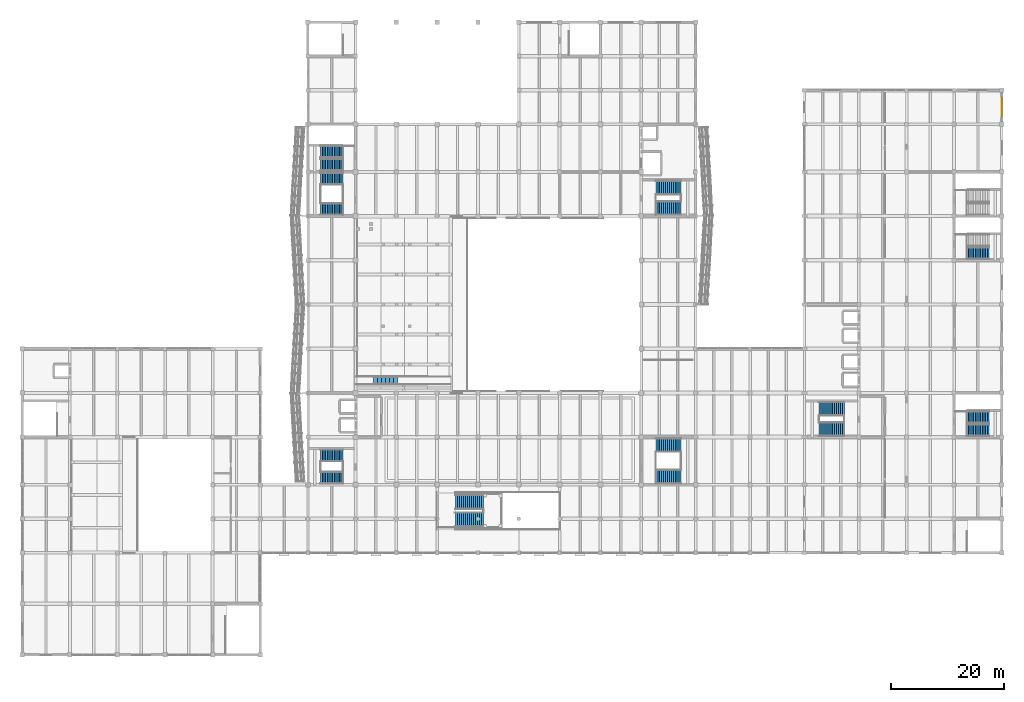
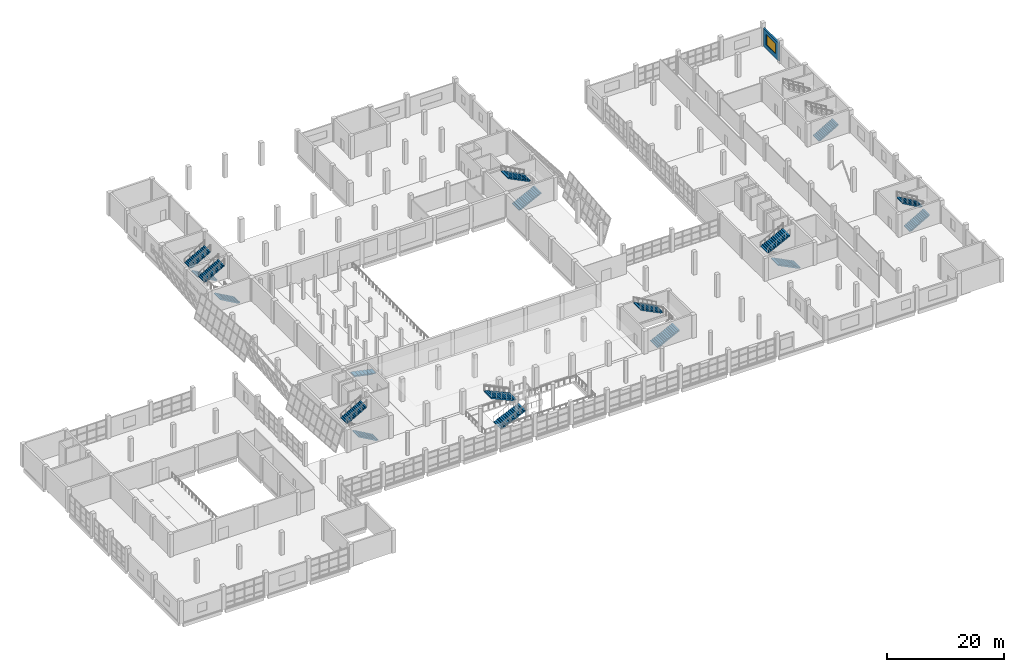
# One storey, part 86 of 91: 18 stair flights, 1 wall, 1 window, 1 opening, 10 elements without a shape of their own.
"""IFC4 building model written with IfcOpenShell, lengths in metres."""

from ifc_helpers import new_model, si_unit, direction, frame, frame_2d, origin, place, context, subcontext, project, spatial, polyline, rectangle, outline, extrude, material, layer, layer_set, type_object, element, fill, aggregate, save


model = new_model("IFC4")

# Units and contexts
model_context = context("Model", 3, precision=1e-05, world=origin(), true_north=direction((0.0, 1.0)))
body_context = subcontext(model_context, "Body", "Model", "MODEL_VIEW")
ifc_project = project(units=[si_unit("LENGTHUNIT", "METRE"), si_unit("AREAUNIT", "SQUARE_METRE"), si_unit("VOLUMEUNIT", "CUBIC_METRE"), si_unit("PLANEANGLEUNIT", "RADIAN"), si_unit("MASSUNIT", "GRAM", prefix="KILO")], contexts=[model_context])

# Site, building, storey
site_placement = place(None, origin())
site = spatial("IfcSite", under=ifc_project, at=site_placement, CompositionType="ELEMENT")
building_placement = place(site_placement, origin())
building = spatial("IfcBuilding", under=site, at=building_placement, Name="Pellamere Symphony Hall", CompositionType="ELEMENT")
storey_placement = place(building_placement, frame((0.0, 0.0, 5.39990234375)))
storey = spatial("IfcBuildingStorey", under=building, at=storey_placement, Name="L01", CompositionType="ELEMENT", Elevation=5.39990234375)

# Wall, opening, window
ifc_material_1 = material(Name="Precast concrete 40 MPa", Category="concrete")
ifc_layer = layer(ifc_material_1, 0.320068359375, Name="Precast concrete 40 MPa")
ifc_layer_set = layer_set([ifc_layer], Name="Precast concrete 40 MPa")
wall_type = type_object("IfcWallType", Name="Exterior Wall EW-02 320mm", PredefinedType="SOLIDWALL", material=ifc_layer_set)
wall_placement = place(storey_placement, frame((172.800048828125, 93.989990234375, 0.0), z_axis=(0.0, 0.0, 1.0), x_axis=(0.0, 1.0, 0.0)))
wall = element("IfcWall", 1, at=wall_placement, inside=storey, type_object=wall_type, Name="Exterior Wall EW-02-093 (L01)", PredefinedType="SOLIDWALL", context=body_context, shape_type="SweptSolid", body=[
    extrude(rectangle(XDim=5.219970703125, YDim=0.320068359375, at=frame_2d((2.60986328125, 0.0))), origin(), (0.0, 0.0, 1.0), 3.800048828125),
])
opening_placement = place(wall_placement, frame((1.010009765625, 0.0, 0.89990234375)))
opening = element("IfcOpeningElement", 2, at=opening_placement, cuts=wall, Name="Opening W058", PredefinedType="OPENING", context=body_context, shape_type="SweptSolid", body=[
    extrude(rectangle(XDim=3.199951171875, YDim=2.10009765625, at=frame_2d((1.60009765625, 1.050048828125))), frame((0.0, 0.169921875, 0.0), z_axis=(0.0, -1.0, 0.0), x_axis=(1.0, 0.0, 0.0)), (0.0, 0.0, 1.0), 0.340087890625),
])
ifc_material_2 = material(Name="Thermally Broken Aluminium Triple-Glazed Acoustic Window", Category="aluminium")
window_type = type_object("IfcWindowType", Name="Window WN-04 3200x2100", PartitioningType="TRIPLE_PANEL_VERTICAL", PredefinedType="WINDOW", material=ifc_material_2)
window_placement = place(opening_placement, origin())
window = element("IfcWindow", 3, at=window_placement, inside=storey, type_object=window_type, Name="Exterior Window W058 (L01)", OverallHeight=2.10009765625, OverallWidth=3.199951171875, PartitioningType="SINGLE_PANEL", PredefinedType="WINDOW", context=body_context, shape_type="SweptSolid", body=[
    extrude(rectangle(XDim=3.199951171875, YDim=2.10009765625, at=frame_2d((1.60009765625, 1.050048828125))), frame((0.0, 0.030029296875, 0.0), z_axis=(0.0, -1.0, 0.0), x_axis=(1.0, 0.0, 0.0)), (0.0, 0.0, 1.0), 0.06005859375),
])
fill(opening, window)

# Stair, stair flights
ifc_material_3 = material(Name="Concrete 40 MPa", Category="concrete")
stair_type_1 = type_object("IfcStairType", Name="Stair ST-A W2400", PredefinedType="HALF_TURN_STAIR", material=ifc_material_3)
stair_1_placement = place(storey_placement, origin())
stair_1 = element("IfcStair", 4, at=stair_1_placement, inside=storey, type_object=stair_type_1, Name="Exit Stair ST02-L01 (L01 to L02)", PredefinedType="HALF_TURN_STAIR")
stair_flight_type_1 = type_object("IfcStairFlightType", Name="Stair Flight SF-A W2400", PredefinedType="STRAIGHT", material=ifc_material_3)
stair_flight_1_placement = place(storey_placement, frame((145.02490234375, 39.760009765625, 0.0), z_axis=(0.0, 0.0, 1.0), x_axis=(-1.0, 0.0, 0.0)))
stair_flight_1 = element("IfcStairFlight", 5, at=stair_flight_1_placement, type_object=stair_flight_type_1, Name="Stair ST02-L01 Lower Flight (L01)", NumberOfRisers=14, NumberOfTreads=13, PredefinedType="STRAIGHT", RiserHeight=0.17143, TreadLength=0.34231, context=body_context, shape_type="SweptSolid", body=[
    extrude(outline(polyline([(0.0, 0.0), (0.0, 0.17138671875), (0.34228515625, 0.17138671875), (0.34228515625, 0.3427734375), (0.6845703125, 0.3427734375), (0.6845703125, 0.514404296875), (1.02685546875, 0.514404296875), (1.02685546875, 0.685791015625), (1.369140625, 0.685791015625), (1.369140625, 0.857177734375), (1.711669921875, 0.857177734375), (1.711669921875, 1.028564453125), (2.053955078125, 1.028564453125), (2.053955078125, 1.199951171875), (2.396240234375, 1.199951171875), (2.396240234375, 1.371337890625), (2.738525390625, 1.371337890625), (2.738525390625, 1.54296875), (3.080810546875, 1.54296875), (3.080810546875, 1.71435546875), (3.423095703125, 1.71435546875), (3.423095703125, 1.8857421875), (3.765380859375, 1.8857421875), (3.765380859375, 2.05712890625), (4.107666015625, 2.05712890625), (4.107666015625, 2.228515625), (4.449951171875, 2.228515625), (4.449951171875, 2.39990234375), (4.449951171875, 2.0048828125), (0.446533203125, 0.0), (0.0, 0.0)])), frame((0.0, 1.199951171875, 0.0), z_axis=(0.0, -1.0, 0.0), x_axis=(1.0, 0.0, 0.0)), (0.0, 0.0, 1.0), 2.39990234375),
])
stair_flight_2_placement = place(storey_placement, frame((140.574951171875, 43.43994140625, 2.400146484375), z_axis=(0.0, 0.0, 1.0), x_axis=(1.0, 0.0, 0.0)))
stair_flight_2 = element("IfcStairFlight", 6, at=stair_flight_2_placement, type_object=stair_flight_type_1, Name="Stair ST02-L01 Upper Flight (L01)", NumberOfRisers=14, NumberOfTreads=13, PredefinedType="STRAIGHT", RiserHeight=0.17143, TreadLength=0.34231, context=body_context, shape_type="SweptSolid", body=[
    extrude(outline(polyline([(0.0, 0.0), (0.0, 0.17138671875), (0.34228515625, 0.17138671875), (0.34228515625, 0.3427734375), (0.6845703125, 0.3427734375), (0.6845703125, 0.514404296875), (1.02685546875, 0.514404296875), (1.02685546875, 0.685791015625), (1.369140625, 0.685791015625), (1.369140625, 0.857177734375), (1.711669921875, 0.857177734375), (1.711669921875, 1.028564453125), (2.053955078125, 1.028564453125), (2.053955078125, 1.199951171875), (2.396240234375, 1.199951171875), (2.396240234375, 1.371337890625), (2.738525390625, 1.371337890625), (2.738525390625, 1.54296875), (3.080810546875, 1.54296875), (3.080810546875, 1.71435546875), (3.423095703125, 1.71435546875), (3.423095703125, 1.8857421875), (3.765380859375, 1.8857421875), (3.765380859375, 2.05712890625), (4.107666015625, 2.05712890625), (4.107666015625, 2.228515625), (4.449951171875, 2.228515625), (4.449951171875, 2.39990234375), (4.449951171875, 2.0048828125), (0.446533203125, 0.0), (0.0, 0.0)])), frame((0.0, 1.199951171875, 0.0), z_axis=(0.0, -1.0, 0.0), x_axis=(1.0, 0.0, 0.0)), (0.0, 0.0, 1.0), 2.39990234375),
])
aggregate(stair_1, [stair_flight_1, stair_flight_2])

stair_2_placement = place(storey_placement, origin())
stair_2 = element("IfcStair", 7, at=stair_2_placement, inside=storey, type_object=stair_type_1, Name="Exit Stair ST04-L01 (L01 to L02)", PredefinedType="HALF_TURN_STAIR")
stair_flight_3_placement = place(storey_placement, frame((111.77490234375, 78.760009765625, 0.0), z_axis=(0.0, 0.0, 1.0), x_axis=(1.0, 0.0, 0.0)))
stair_flight_3 = element("IfcStairFlight", 8, at=stair_flight_3_placement, type_object=stair_flight_type_1, Name="Stair ST04-L01 Lower Flight (L01)", NumberOfRisers=14, NumberOfTreads=13, PredefinedType="STRAIGHT", RiserHeight=0.17143, TreadLength=0.34231, context=body_context, shape_type="SweptSolid", body=[
    extrude(outline(polyline([(0.0, 0.0), (0.0, 0.17138671875), (0.34228515625, 0.17138671875), (0.34228515625, 0.3427734375), (0.6845703125, 0.3427734375), (0.6845703125, 0.514404296875), (1.02685546875, 0.514404296875), (1.02685546875, 0.685791015625), (1.369140625, 0.685791015625), (1.369140625, 0.857177734375), (1.711669921875, 0.857177734375), (1.711669921875, 1.028564453125), (2.053955078125, 1.028564453125), (2.053955078125, 1.199951171875), (2.396240234375, 1.199951171875), (2.396240234375, 1.371337890625), (2.738525390625, 1.371337890625), (2.738525390625, 1.54296875), (3.080810546875, 1.54296875), (3.080810546875, 1.71435546875), (3.423095703125, 1.71435546875), (3.423095703125, 1.8857421875), (3.765380859375, 1.8857421875), (3.765380859375, 2.05712890625), (4.107666015625, 2.05712890625), (4.107666015625, 2.228515625), (4.449951171875, 2.228515625), (4.449951171875, 2.39990234375), (4.449951171875, 2.0048828125), (0.446533203125, 0.0), (0.0, 0.0)])), frame((0.0, 1.199951171875, 0.0), z_axis=(0.0, -1.0, 0.0), x_axis=(1.0, 0.0, 0.0)), (0.0, 0.0, 1.0), 2.39990234375),
])
stair_flight_4_placement = place(storey_placement, frame((116.22509765625, 82.43994140625, 2.400146484375), z_axis=(0.0, 0.0, 1.0), x_axis=(-1.0, 0.0, 0.0)))
stair_flight_4 = element("IfcStairFlight", 9, at=stair_flight_4_placement, type_object=stair_flight_type_1, Name="Stair ST04-L01 Upper Flight (L01)", NumberOfRisers=14, NumberOfTreads=13, PredefinedType="STRAIGHT", RiserHeight=0.17143, TreadLength=0.34231, context=body_context, shape_type="SweptSolid", body=[
    extrude(outline(polyline([(0.0, 0.0), (0.0, 0.17138671875), (0.34228515625, 0.17138671875), (0.34228515625, 0.3427734375), (0.6845703125, 0.3427734375), (0.6845703125, 0.514404296875), (1.02685546875, 0.514404296875), (1.02685546875, 0.685791015625), (1.369140625, 0.685791015625), (1.369140625, 0.857177734375), (1.711669921875, 0.857177734375), (1.711669921875, 1.028564453125), (2.053955078125, 1.028564453125), (2.053955078125, 1.199951171875), (2.396240234375, 1.199951171875), (2.396240234375, 1.371337890625), (2.738525390625, 1.371337890625), (2.738525390625, 1.54296875), (3.080810546875, 1.54296875), (3.080810546875, 1.71435546875), (3.423095703125, 1.71435546875), (3.423095703125, 1.8857421875), (3.765380859375, 1.8857421875), (3.765380859375, 2.05712890625), (4.107666015625, 2.05712890625), (4.107666015625, 2.228515625), (4.449951171875, 2.228515625), (4.449951171875, 2.39990234375), (4.449951171875, 2.0048828125), (0.446533203125, 0.0), (0.0, 0.0)])), frame((0.0, 1.199951171875, 0.0), z_axis=(0.0, -1.0, 0.0), x_axis=(1.0, 0.0, 0.0)), (0.0, 0.0, 1.0), 2.39990234375),
])
aggregate(stair_2, [stair_flight_3, stair_flight_4])

stair_3_placement = place(storey_placement, origin())
stair_3 = element("IfcStair", 10, at=stair_3_placement, inside=storey, type_object=stair_type_1, Name="Exit Stair ST08-L01 (L01 to L02)", PredefinedType="HALF_TURN_STAIR")
stair_flight_5_placement = place(storey_placement, frame((111.77490234375, 31.360107421875, 0.0), z_axis=(0.0, 0.0, 1.0), x_axis=(1.0, 0.0, 0.0)))
stair_flight_5 = element("IfcStairFlight", 11, at=stair_flight_5_placement, type_object=stair_flight_type_1, Name="Stair ST08-L01 Lower Flight (L01)", NumberOfRisers=14, NumberOfTreads=13, PredefinedType="STRAIGHT", RiserHeight=0.17143, TreadLength=0.34231, context=body_context, shape_type="SweptSolid", body=[
    extrude(outline(polyline([(0.0, 0.0), (0.0, 0.17138671875), (0.34228515625, 0.17138671875), (0.34228515625, 0.3427734375), (0.6845703125, 0.3427734375), (0.6845703125, 0.514404296875), (1.02685546875, 0.514404296875), (1.02685546875, 0.685791015625), (1.369140625, 0.685791015625), (1.369140625, 0.857177734375), (1.711669921875, 0.857177734375), (1.711669921875, 1.028564453125), (2.053955078125, 1.028564453125), (2.053955078125, 1.199951171875), (2.396240234375, 1.199951171875), (2.396240234375, 1.371337890625), (2.738525390625, 1.371337890625), (2.738525390625, 1.54296875), (3.080810546875, 1.54296875), (3.080810546875, 1.71435546875), (3.423095703125, 1.71435546875), (3.423095703125, 1.8857421875), (3.765380859375, 1.8857421875), (3.765380859375, 2.05712890625), (4.107666015625, 2.05712890625), (4.107666015625, 2.228515625), (4.449951171875, 2.228515625), (4.449951171875, 2.39990234375), (4.449951171875, 2.0048828125), (0.446533203125, 0.0), (0.0, 0.0)])), frame((0.0, 1.199951171875, 0.0), z_axis=(0.0, -1.0, 0.0), x_axis=(1.0, 0.0, 0.0)), (0.0, 0.0, 1.0), 2.39990234375),
])
stair_flight_6_placement = place(storey_placement, frame((116.22509765625, 37.0400390625, 2.400146484375), z_axis=(0.0, 0.0, 1.0), x_axis=(-1.0, 0.0, 0.0)))
stair_flight_6 = element("IfcStairFlight", 12, at=stair_flight_6_placement, type_object=stair_flight_type_1, Name="Stair ST08-L01 Upper Flight (L01)", NumberOfRisers=14, NumberOfTreads=13, PredefinedType="STRAIGHT", RiserHeight=0.17143, TreadLength=0.34231, context=body_context, shape_type="SweptSolid", body=[
    extrude(outline(polyline([(0.0, 0.0), (0.0, 0.17138671875), (0.34228515625, 0.17138671875), (0.34228515625, 0.3427734375), (0.6845703125, 0.3427734375), (0.6845703125, 0.514404296875), (1.02685546875, 0.514404296875), (1.02685546875, 0.685791015625), (1.369140625, 0.685791015625), (1.369140625, 0.857177734375), (1.711669921875, 0.857177734375), (1.711669921875, 1.028564453125), (2.053955078125, 1.028564453125), (2.053955078125, 1.199951171875), (2.396240234375, 1.199951171875), (2.396240234375, 1.371337890625), (2.738525390625, 1.371337890625), (2.738525390625, 1.54296875), (3.080810546875, 1.54296875), (3.080810546875, 1.71435546875), (3.423095703125, 1.71435546875), (3.423095703125, 1.8857421875), (3.765380859375, 1.8857421875), (3.765380859375, 2.05712890625), (4.107666015625, 2.05712890625), (4.107666015625, 2.228515625), (4.449951171875, 2.228515625), (4.449951171875, 2.39990234375), (4.449951171875, 2.0048828125), (0.446533203125, 0.0), (0.0, 0.0)])), frame((0.0, 1.199951171875, 0.0), z_axis=(0.0, -1.0, 0.0), x_axis=(1.0, 0.0, 0.0)), (0.0, 0.0, 1.0), 2.39990234375),
])
aggregate(stair_3, [stair_flight_5, stair_flight_6])

stair_type_2 = type_object("IfcStairType", Name="Stair ST-B W2050", PredefinedType="HALF_TURN_STAIR", material=ifc_material_3)
stair_4_placement = place(storey_placement, origin())
stair_4 = element("IfcStair", 13, at=stair_4_placement, inside=storey, type_object=stair_type_2, Name="Exit Stair ST01-L01 (L01 to L02)", PredefinedType="HALF_TURN_STAIR")
stair_flight_type_2 = type_object("IfcStairFlightType", Name="Stair Flight SF-B W2050", PredefinedType="STRAIGHT", material=ifc_material_3)
stair_flight_7_placement = place(storey_placement, frame((56.574951171875, 31.18505859375, 0.0), z_axis=(0.0, 0.0, 1.0), x_axis=(-1.0, 0.0, 0.0)))
stair_flight_7 = element("IfcStairFlight", 14, at=stair_flight_7_placement, type_object=stair_flight_type_2, Name="Stair ST01-L01 Lower Flight (L01)", NumberOfRisers=14, NumberOfTreads=13, PredefinedType="STRAIGHT", RiserHeight=0.17143, TreadLength=0.30385, context=body_context, shape_type="SweptSolid", body=[
    extrude(outline(polyline([(0.0, 0.0), (0.0, 0.17138671875), (0.303955078125, 0.17138671875), (0.303955078125, 0.3427734375), (0.607666015625, 0.3427734375), (0.607666015625, 0.514404296875), (0.91162109375, 0.514404296875), (0.91162109375, 0.685791015625), (1.21533203125, 0.685791015625), (1.21533203125, 0.857177734375), (1.519287109375, 0.857177734375), (1.519287109375, 1.028564453125), (1.822998046875, 1.028564453125), (1.822998046875, 1.199951171875), (2.126953125, 1.199951171875), (2.126953125, 1.371337890625), (2.430908203125, 1.371337890625), (2.430908203125, 1.54296875), (2.734619140625, 1.54296875), (2.734619140625, 1.71435546875), (3.03857421875, 1.71435546875), (3.03857421875, 1.8857421875), (3.34228515625, 1.8857421875), (3.34228515625, 2.05712890625), (3.646240234375, 2.05712890625), (3.646240234375, 2.228515625), (3.949951171875, 2.228515625), (3.949951171875, 2.39990234375), (3.949951171875, 1.9990234375), (0.406982421875, 0.0), (0.0, 0.0)])), frame((0.0, 1.02490234375, 0.0), z_axis=(0.0, -1.0, 0.0), x_axis=(1.0, 0.0, 0.0)), (0.0, 0.0, 1.0), 2.050048828125),
])
stair_flight_8_placement = place(storey_placement, frame((52.625, 35.215087890625, 2.400146484375), z_axis=(0.0, 0.0, 1.0), x_axis=(1.0, 0.0, 0.0)))
stair_flight_8 = element("IfcStairFlight", 15, at=stair_flight_8_placement, type_object=stair_flight_type_2, Name="Stair ST01-L01 Upper Flight (L01)", NumberOfRisers=14, NumberOfTreads=13, PredefinedType="STRAIGHT", RiserHeight=0.17143, TreadLength=0.30385, context=body_context, shape_type="SweptSolid", body=[
    extrude(outline(polyline([(0.0, 0.0), (0.0, 0.17138671875), (0.303955078125, 0.17138671875), (0.303955078125, 0.3427734375), (0.607666015625, 0.3427734375), (0.607666015625, 0.514404296875), (0.91162109375, 0.514404296875), (0.91162109375, 0.685791015625), (1.21533203125, 0.685791015625), (1.21533203125, 0.857177734375), (1.519287109375, 0.857177734375), (1.519287109375, 1.028564453125), (1.822998046875, 1.028564453125), (1.822998046875, 1.199951171875), (2.126953125, 1.199951171875), (2.126953125, 1.371337890625), (2.430908203125, 1.371337890625), (2.430908203125, 1.54296875), (2.734619140625, 1.54296875), (2.734619140625, 1.71435546875), (3.03857421875, 1.71435546875), (3.03857421875, 1.8857421875), (3.34228515625, 1.8857421875), (3.34228515625, 2.05712890625), (3.646240234375, 2.05712890625), (3.646240234375, 2.228515625), (3.949951171875, 2.228515625), (3.949951171875, 2.39990234375), (3.949951171875, 1.9990234375), (0.406982421875, 0.0), (0.0, 0.0)])), frame((0.0, 1.02490234375, 0.0), z_axis=(0.0, -1.0, 0.0), x_axis=(1.0, 0.0, 0.0)), (0.0, 0.0, 1.0), 2.050048828125),
])
aggregate(stair_4, [stair_flight_7, stair_flight_8])

# Stair, stair flight
stair_5_placement = place(storey_placement, origin())
stair_5 = element("IfcStair", 16, at=stair_5_placement, inside=storey, type_object=stair_type_2, Name="Exit Stair ST05-L01 (L01 to L02)", PredefinedType="HALF_TURN_STAIR")
stair_flight_9_placement = place(storey_placement, frame((166.625, 70.784912109375, 0.0), z_axis=(0.0, 0.0, 1.0), x_axis=(1.0, 0.0, 0.0)))
stair_flight_9 = element("IfcStairFlight", 17, at=stair_flight_9_placement, type_object=stair_flight_type_2, Name="Stair ST05-L01 Lower Flight (L01)", NumberOfRisers=14, NumberOfTreads=13, PredefinedType="STRAIGHT", RiserHeight=0.17143, TreadLength=0.30385, context=body_context, shape_type="SweptSolid", body=[
    extrude(outline(polyline([(0.0, 0.0), (0.0, 0.17138671875), (0.303955078125, 0.17138671875), (0.303955078125, 0.3427734375), (0.607666015625, 0.3427734375), (0.607666015625, 0.514404296875), (0.91162109375, 0.514404296875), (0.91162109375, 0.685791015625), (1.21533203125, 0.685791015625), (1.21533203125, 0.857177734375), (1.519287109375, 0.857177734375), (1.519287109375, 1.028564453125), (1.822998046875, 1.028564453125), (1.822998046875, 1.199951171875), (2.126953125, 1.199951171875), (2.126953125, 1.371337890625), (2.430908203125, 1.371337890625), (2.430908203125, 1.54296875), (2.734619140625, 1.54296875), (2.734619140625, 1.71435546875), (3.03857421875, 1.71435546875), (3.03857421875, 1.8857421875), (3.34228515625, 1.8857421875), (3.34228515625, 2.05712890625), (3.646240234375, 2.05712890625), (3.646240234375, 2.228515625), (3.949951171875, 2.228515625), (3.949951171875, 2.39990234375), (3.949951171875, 1.9990234375), (0.406982421875, 0.0), (0.0, 0.0)])), frame((0.0, 1.02490234375, 0.0), z_axis=(0.0, -1.0, 0.0), x_axis=(1.0, 0.0, 0.0)), (0.0, 0.0, 1.0), 2.050048828125),
])
aggregate(stair_5, [stair_flight_9])

# Stair, stair flights
stair_6_placement = place(storey_placement, origin())
stair_6 = element("IfcStair", 18, at=stair_6_placement, inside=storey, type_object=stair_type_2, Name="Exit Stair ST06-L01 (L01 to L02)", PredefinedType="HALF_TURN_STAIR")
stair_flight_10_placement = place(storey_placement, frame((166.625, 39.5849609375, 0.0), z_axis=(0.0, 0.0, 1.0), x_axis=(1.0, 0.0, 0.0)))
stair_flight_10 = element("IfcStairFlight", 19, at=stair_flight_10_placement, type_object=stair_flight_type_2, Name="Stair ST06-L01 Lower Flight (L01)", NumberOfRisers=14, NumberOfTreads=13, PredefinedType="STRAIGHT", RiserHeight=0.17143, TreadLength=0.30385, context=body_context, shape_type="SweptSolid", body=[
    extrude(outline(polyline([(0.0, 0.0), (0.0, 0.17138671875), (0.303955078125, 0.17138671875), (0.303955078125, 0.3427734375), (0.607666015625, 0.3427734375), (0.607666015625, 0.514404296875), (0.91162109375, 0.514404296875), (0.91162109375, 0.685791015625), (1.21533203125, 0.685791015625), (1.21533203125, 0.857177734375), (1.519287109375, 0.857177734375), (1.519287109375, 1.028564453125), (1.822998046875, 1.028564453125), (1.822998046875, 1.199951171875), (2.126953125, 1.199951171875), (2.126953125, 1.371337890625), (2.430908203125, 1.371337890625), (2.430908203125, 1.54296875), (2.734619140625, 1.54296875), (2.734619140625, 1.71435546875), (3.03857421875, 1.71435546875), (3.03857421875, 1.8857421875), (3.34228515625, 1.8857421875), (3.34228515625, 2.05712890625), (3.646240234375, 2.05712890625), (3.646240234375, 2.228515625), (3.949951171875, 2.228515625), (3.949951171875, 2.39990234375), (3.949951171875, 1.9990234375), (0.406982421875, 0.0), (0.0, 0.0)])), frame((0.0, 1.02490234375, 0.0), z_axis=(0.0, -1.0, 0.0), x_axis=(1.0, 0.0, 0.0)), (0.0, 0.0, 1.0), 2.050048828125),
])
stair_flight_11_placement = place(storey_placement, frame((170.574951171875, 41.97509765625, 2.400146484375), z_axis=(0.0, 0.0, 1.0), x_axis=(-1.0, 0.0, 0.0)))
stair_flight_11 = element("IfcStairFlight", 20, at=stair_flight_11_placement, type_object=stair_flight_type_2, Name="Stair ST06-L01 Upper Flight (L01)", NumberOfRisers=14, NumberOfTreads=13, PredefinedType="STRAIGHT", RiserHeight=0.17143, TreadLength=0.30385, context=body_context, shape_type="SweptSolid", body=[
    extrude(outline(polyline([(0.0, 0.0), (0.0, 0.17138671875), (0.303955078125, 0.17138671875), (0.303955078125, 0.3427734375), (0.607666015625, 0.3427734375), (0.607666015625, 0.514404296875), (0.91162109375, 0.514404296875), (0.91162109375, 0.685791015625), (1.21533203125, 0.685791015625), (1.21533203125, 0.857177734375), (1.519287109375, 0.857177734375), (1.519287109375, 1.028564453125), (1.822998046875, 1.028564453125), (1.822998046875, 1.199951171875), (2.126953125, 1.199951171875), (2.126953125, 1.371337890625), (2.430908203125, 1.371337890625), (2.430908203125, 1.54296875), (2.734619140625, 1.54296875), (2.734619140625, 1.71435546875), (3.03857421875, 1.71435546875), (3.03857421875, 1.8857421875), (3.34228515625, 1.8857421875), (3.34228515625, 2.05712890625), (3.646240234375, 2.05712890625), (3.646240234375, 2.228515625), (3.949951171875, 2.228515625), (3.949951171875, 2.39990234375), (3.949951171875, 1.9990234375), (0.406982421875, 0.0), (0.0, 0.0)])), frame((0.0, 1.02490234375, 0.0), z_axis=(0.0, -1.0, 0.0), x_axis=(1.0, 0.0, 0.0)), (0.0, 0.0, 1.0), 2.050048828125),
])
aggregate(stair_6, [stair_flight_10, stair_flight_11])

stair_7_placement = place(storey_placement, origin())
stair_7 = element("IfcStair", 21, at=stair_7_placement, inside=storey, type_object=stair_type_2, Name="Exit Stair ST07-L01 (L01 to L02)", PredefinedType="HALF_TURN_STAIR")
stair_flight_12_placement = place(storey_placement, frame((56.574951171875, 78.5849609375, 0.0), z_axis=(0.0, 0.0, 1.0), x_axis=(-1.0, 0.0, 0.0)))
stair_flight_12 = element("IfcStairFlight", 22, at=stair_flight_12_placement, type_object=stair_flight_type_2, Name="Stair ST07-L01 Lower Flight (L01)", NumberOfRisers=14, NumberOfTreads=13, PredefinedType="STRAIGHT", RiserHeight=0.17143, TreadLength=0.30385, context=body_context, shape_type="SweptSolid", body=[
    extrude(outline(polyline([(0.0, 0.0), (0.0, 0.17138671875), (0.303955078125, 0.17138671875), (0.303955078125, 0.3427734375), (0.607666015625, 0.3427734375), (0.607666015625, 0.514404296875), (0.91162109375, 0.514404296875), (0.91162109375, 0.685791015625), (1.21533203125, 0.685791015625), (1.21533203125, 0.857177734375), (1.519287109375, 0.857177734375), (1.519287109375, 1.028564453125), (1.822998046875, 1.028564453125), (1.822998046875, 1.199951171875), (2.126953125, 1.199951171875), (2.126953125, 1.371337890625), (2.430908203125, 1.371337890625), (2.430908203125, 1.54296875), (2.734619140625, 1.54296875), (2.734619140625, 1.71435546875), (3.03857421875, 1.71435546875), (3.03857421875, 1.8857421875), (3.34228515625, 1.8857421875), (3.34228515625, 2.05712890625), (3.646240234375, 2.05712890625), (3.646240234375, 2.228515625), (3.949951171875, 2.228515625), (3.949951171875, 2.39990234375), (3.949951171875, 1.9990234375), (0.406982421875, 0.0), (0.0, 0.0)])), frame((0.0, 1.02490234375, 0.0), z_axis=(0.0, -1.0, 0.0), x_axis=(1.0, 0.0, 0.0)), (0.0, 0.0, 1.0), 2.050048828125),
])
stair_flight_13_placement = place(storey_placement, frame((52.625, 84.014892578125, 2.400146484375), z_axis=(0.0, 0.0, 1.0), x_axis=(1.0, 0.0, 0.0)))
stair_flight_13 = element("IfcStairFlight", 23, at=stair_flight_13_placement, type_object=stair_flight_type_2, Name="Stair ST07-L01 Upper Flight (L01)", NumberOfRisers=14, NumberOfTreads=13, PredefinedType="STRAIGHT", RiserHeight=0.17143, TreadLength=0.30385, context=body_context, shape_type="SweptSolid", body=[
    extrude(outline(polyline([(0.0, 0.0), (0.0, 0.17138671875), (0.303955078125, 0.17138671875), (0.303955078125, 0.3427734375), (0.607666015625, 0.3427734375), (0.607666015625, 0.514404296875), (0.91162109375, 0.514404296875), (0.91162109375, 0.685791015625), (1.21533203125, 0.685791015625), (1.21533203125, 0.857177734375), (1.519287109375, 0.857177734375), (1.519287109375, 1.028564453125), (1.822998046875, 1.028564453125), (1.822998046875, 1.199951171875), (2.126953125, 1.199951171875), (2.126953125, 1.371337890625), (2.430908203125, 1.371337890625), (2.430908203125, 1.54296875), (2.734619140625, 1.54296875), (2.734619140625, 1.71435546875), (3.03857421875, 1.71435546875), (3.03857421875, 1.8857421875), (3.34228515625, 1.8857421875), (3.34228515625, 2.05712890625), (3.646240234375, 2.05712890625), (3.646240234375, 2.228515625), (3.949951171875, 2.228515625), (3.949951171875, 2.39990234375), (3.949951171875, 1.9990234375), (0.406982421875, 0.0), (0.0, 0.0)])), frame((0.0, 1.02490234375, 0.0), z_axis=(0.0, -1.0, 0.0), x_axis=(1.0, 0.0, 0.0)), (0.0, 0.0, 1.0), 2.050048828125),
])
aggregate(stair_7, [stair_flight_12, stair_flight_13])

stair_8_placement = place(storey_placement, origin())
stair_8 = element("IfcStair", 24, at=stair_8_placement, inside=storey, type_object=stair_type_2, Name="Exit Stair ST13-L01 (L01 to L02)", PredefinedType="HALF_TURN_STAIR")
stair_flight_14_placement = place(storey_placement, frame((56.574951171875, 86.385009765625, 0.0), z_axis=(0.0, 0.0, 1.0), x_axis=(-1.0, 0.0, 0.0)))
stair_flight_14 = element("IfcStairFlight", 25, at=stair_flight_14_placement, type_object=stair_flight_type_2, Name="Stair ST13-L01 Lower Flight (L01)", NumberOfRisers=14, NumberOfTreads=13, PredefinedType="STRAIGHT", RiserHeight=0.17143, TreadLength=0.30385, context=body_context, shape_type="SweptSolid", body=[
    extrude(outline(polyline([(0.0, 0.0), (0.0, 0.17138671875), (0.303955078125, 0.17138671875), (0.303955078125, 0.3427734375), (0.607666015625, 0.3427734375), (0.607666015625, 0.514404296875), (0.91162109375, 0.514404296875), (0.91162109375, 0.685791015625), (1.21533203125, 0.685791015625), (1.21533203125, 0.857177734375), (1.519287109375, 0.857177734375), (1.519287109375, 1.028564453125), (1.822998046875, 1.028564453125), (1.822998046875, 1.199951171875), (2.126953125, 1.199951171875), (2.126953125, 1.371337890625), (2.430908203125, 1.371337890625), (2.430908203125, 1.54296875), (2.734619140625, 1.54296875), (2.734619140625, 1.71435546875), (3.03857421875, 1.71435546875), (3.03857421875, 1.8857421875), (3.34228515625, 1.8857421875), (3.34228515625, 2.05712890625), (3.646240234375, 2.05712890625), (3.646240234375, 2.228515625), (3.949951171875, 2.228515625), (3.949951171875, 2.39990234375), (3.949951171875, 1.9990234375), (0.406982421875, 0.0), (0.0, 0.0)])), frame((0.0, 1.02490234375, 0.0), z_axis=(0.0, -1.0, 0.0), x_axis=(1.0, 0.0, 0.0)), (0.0, 0.0, 1.0), 2.050048828125),
])
stair_flight_15_placement = place(storey_placement, frame((52.625, 88.77490234375, 2.400146484375), z_axis=(0.0, 0.0, 1.0), x_axis=(1.0, 0.0, 0.0)))
stair_flight_15 = element("IfcStairFlight", 26, at=stair_flight_15_placement, type_object=stair_flight_type_2, Name="Stair ST13-L01 Upper Flight (L01)", NumberOfRisers=14, NumberOfTreads=13, PredefinedType="STRAIGHT", RiserHeight=0.17143, TreadLength=0.30385, context=body_context, shape_type="SweptSolid", body=[
    extrude(outline(polyline([(0.0, 0.0), (0.0, 0.17138671875), (0.303955078125, 0.17138671875), (0.303955078125, 0.3427734375), (0.607666015625, 0.3427734375), (0.607666015625, 0.514404296875), (0.91162109375, 0.514404296875), (0.91162109375, 0.685791015625), (1.21533203125, 0.685791015625), (1.21533203125, 0.857177734375), (1.519287109375, 0.857177734375), (1.519287109375, 1.028564453125), (1.822998046875, 1.028564453125), (1.822998046875, 1.199951171875), (2.126953125, 1.199951171875), (2.126953125, 1.371337890625), (2.430908203125, 1.371337890625), (2.430908203125, 1.54296875), (2.734619140625, 1.54296875), (2.734619140625, 1.71435546875), (3.03857421875, 1.71435546875), (3.03857421875, 1.8857421875), (3.34228515625, 1.8857421875), (3.34228515625, 2.05712890625), (3.646240234375, 2.05712890625), (3.646240234375, 2.228515625), (3.949951171875, 2.228515625), (3.949951171875, 2.39990234375), (3.949951171875, 1.9990234375), (0.406982421875, 0.0), (0.0, 0.0)])), frame((0.0, 1.02490234375, 0.0), z_axis=(0.0, -1.0, 0.0), x_axis=(1.0, 0.0, 0.0)), (0.0, 0.0, 1.0), 2.050048828125),
])
aggregate(stair_8, [stair_flight_14, stair_flight_15])

ifc_material_4 = material(Name="Architectural warm-pigmented concrete 40 MPa", Category="concrete")
stair_type_3 = type_object("IfcStairType", Name="Stair ST-F W2400", PredefinedType="HALF_TURN_STAIR", material=ifc_material_4)
stair_9_placement = place(storey_placement, origin())
stair_9 = element("IfcStair", 27, at=stair_9_placement, inside=storey, type_object=stair_type_3, Name="Winter-Garden Feature Stair L01 to L02", PredefinedType="HALF_TURN_STAIR")
stair_flight_type_3 = type_object("IfcStairFlightType", Name="Stair Flight SF-F W2400", PredefinedType="STRAIGHT", material=ifc_material_4)
stair_flight_16_placement = place(storey_placement, frame((76.39990234375, 23.800048828125, 0.0), z_axis=(0.0, 0.0, 1.0), x_axis=(1.0, 0.0, 0.0)))
stair_flight_16 = element("IfcStairFlight", 28, at=stair_flight_16_placement, type_object=stair_flight_type_3, Name="Feature Stair Lower Flight (L01)", NumberOfRisers=15, NumberOfTreads=14, PredefinedType="STRAIGHT", RiserHeight=0.16, TreadLength=0.35429, context=body_context, shape_type="SweptSolid", body=[
    extrude(outline(polyline([(0.0, 0.0), (0.0, 0.159912109375), (0.354248046875, 0.159912109375), (0.354248046875, 0.320068359375), (0.70849609375, 0.320068359375), (0.70849609375, 0.47998046875), (1.06298828125, 0.47998046875), (1.06298828125, 0.639892578125), (1.417236328125, 0.639892578125), (1.417236328125, 0.800048828125), (1.771484375, 0.800048828125), (1.771484375, 0.9599609375), (2.125732421875, 0.9599609375), (2.125732421875, 1.1201171875), (2.47998046875, 1.1201171875), (2.47998046875, 1.280029296875), (2.834228515625, 1.280029296875), (2.834228515625, 1.43994140625), (3.188720703125, 1.43994140625), (3.188720703125, 1.60009765625), (3.54296875, 1.60009765625), (3.54296875, 1.760009765625), (3.897216796875, 1.760009765625), (3.897216796875, 1.919921875), (4.25146484375, 1.919921875), (4.25146484375, 2.080078125), (4.605712890625, 2.080078125), (4.605712890625, 2.239990234375), (4.9599609375, 2.239990234375), (4.9599609375, 2.39990234375), (4.9599609375, 1.9765625), (0.5830078125, 0.0), (0.0, 0.0)])), frame((0.0, 1.199951171875, 0.0), z_axis=(0.0, -1.0, 0.0), x_axis=(1.0, 0.0, 0.0)), (0.0, 0.0, 1.0), 2.39990234375),
])
stair_flight_17_placement = place(storey_placement, frame((81.360107421875, 27.0, 2.400146484375), z_axis=(0.0, 0.0, 1.0), x_axis=(-1.0, 0.0, 0.0)))
stair_flight_17 = element("IfcStairFlight", 29, at=stair_flight_17_placement, type_object=stair_flight_type_3, Name="Feature Stair Upper Flight (L01)", NumberOfRisers=15, NumberOfTreads=14, PredefinedType="STRAIGHT", RiserHeight=0.16, TreadLength=0.35429, context=body_context, shape_type="SweptSolid", body=[
    extrude(outline(polyline([(0.0, 0.0), (0.0, 0.159912109375), (0.354248046875, 0.159912109375), (0.354248046875, 0.320068359375), (0.70849609375, 0.320068359375), (0.70849609375, 0.47998046875), (1.06298828125, 0.47998046875), (1.06298828125, 0.639892578125), (1.417236328125, 0.639892578125), (1.417236328125, 0.800048828125), (1.771484375, 0.800048828125), (1.771484375, 0.9599609375), (2.125732421875, 0.9599609375), (2.125732421875, 1.1201171875), (2.47998046875, 1.1201171875), (2.47998046875, 1.280029296875), (2.834228515625, 1.280029296875), (2.834228515625, 1.43994140625), (3.188720703125, 1.43994140625), (3.188720703125, 1.60009765625), (3.54296875, 1.60009765625), (3.54296875, 1.760009765625), (3.897216796875, 1.760009765625), (3.897216796875, 1.919921875), (4.25146484375, 1.919921875), (4.25146484375, 2.080078125), (4.605712890625, 2.080078125), (4.605712890625, 2.239990234375), (4.9599609375, 2.239990234375), (4.9599609375, 2.39990234375), (4.9599609375, 1.9765625), (0.5830078125, 0.0), (0.0, 0.0)])), frame((0.0, 1.199951171875, 0.0), z_axis=(0.0, -1.0, 0.0), x_axis=(1.0, 0.0, 0.0)), (0.0, 0.0, 1.0), 2.39990234375),
])
aggregate(stair_9, [stair_flight_16, stair_flight_17])

# Stair, stair flight
stair_type_4 = type_object("IfcStairType", Name="Stair ST-V W1400", PredefinedType="STRAIGHT_RUN_STAIR", material=ifc_material_1)
stair_10_placement = place(storey_placement, origin())
stair_10 = element("IfcStair", 30, at=stair_10_placement, inside=storey, type_object=stair_type_4, Name="Hall Acoustic Vomitory Stair VOM-03 (L01)", PredefinedType="STRAIGHT_RUN_STAIR")
stair_flight_type_4 = type_object("IfcStairFlightType", Name="Stair Flight SF-V2 W1350", PredefinedType="STRAIGHT", material=ifc_material_1)
stair_flight_18_placement = place(storey_placement, frame((66.199951171875, 48.39990234375, 0.0), z_axis=(0.0, 0.0, 1.0), x_axis=(-1.0, 0.0, 0.0)))
stair_flight_18 = element("IfcStairFlight", 31, at=stair_flight_18_placement, type_object=stair_flight_type_4, Name="Vomitory Stair Flight VOM-03 (L01)", NumberOfRisers=7, NumberOfTreads=6, PredefinedType="STRAIGHT", RiserHeight=0.15, TreadLength=0.7, context=body_context, shape_type="SweptSolid", body=[
    extrude(outline(polyline([(0.0, 0.0), (0.0, 0.14990234375), (0.699951171875, 0.14990234375), (0.699951171875, 0.300048828125), (1.39990234375, 0.300048828125), (1.39990234375, 0.449951171875), (2.10009765625, 0.449951171875), (2.10009765625, 0.60009765625), (2.800048828125, 0.60009765625), (2.800048828125, 0.75), (3.5, 0.75), (3.5, 0.89990234375), (4.199951171875, 0.89990234375), (4.199951171875, 1.050048828125), (4.199951171875, 0.695556640625), (0.954345703125, 0.0), (0.0, 0.0)])), frame((0.0, 0.675048828125, 0.0), z_axis=(0.0, -1.0, 0.0), x_axis=(1.0, 0.0, 0.0)), (0.0, 0.0, 1.0), 1.35009765625),
])
aggregate(stair_10, [stair_flight_18])

save(model, "model.ifc")
